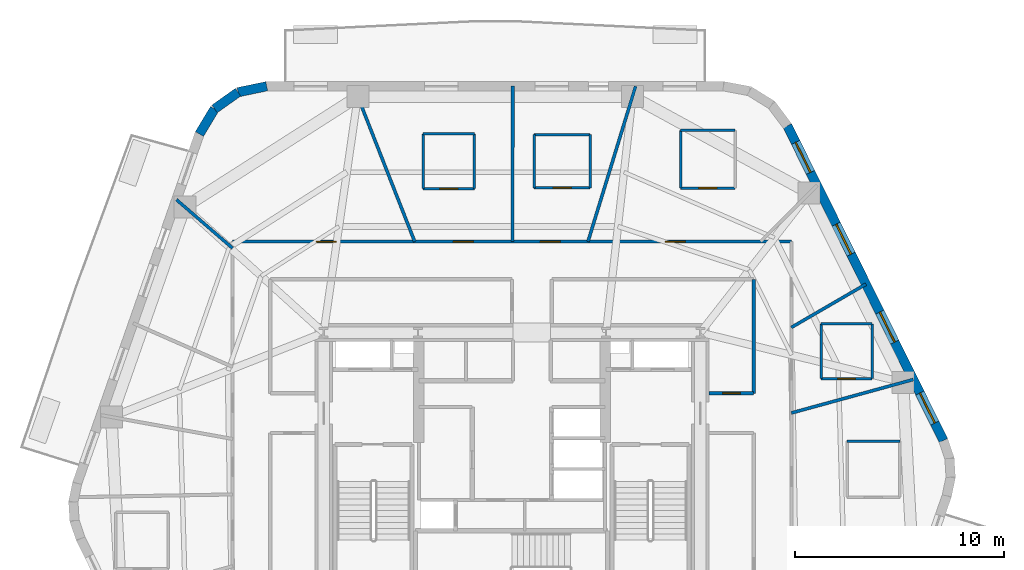
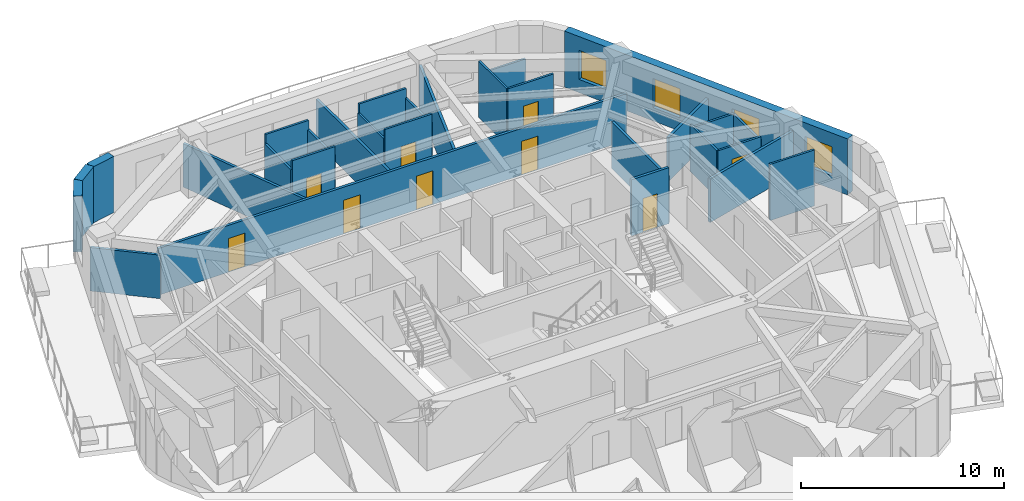
# One storey, part 6 of 11: 29 walls, 9 doors, 4 windows, 13 openings.
"""IFC4 building model written with IfcOpenShell, lengths in metres."""

from ifc_helpers import new_model, si_unit, direction, frame, frame_2d, origin, place, context, subcontext, project, spatial, rectangle, extrude, material, layer, layer_set, type_object, element, fill, save


model = new_model("IFC4")

# Units and contexts
model_context = context("Model", 3, precision=1e-05, world=origin(), true_north=direction((0.0, 1.0)))
body_context = subcontext(model_context, "Body", "Model", "MODEL_VIEW")
ifc_project = project(units=[si_unit("LENGTHUNIT", "METRE"), si_unit("AREAUNIT", "SQUARE_METRE"), si_unit("VOLUMEUNIT", "CUBIC_METRE"), si_unit("PLANEANGLEUNIT", "RADIAN"), si_unit("MASSUNIT", "GRAM", prefix="KILO")], contexts=[model_context])

# Site, building, storey
site_placement = place(None, origin())
site = spatial("IfcSite", under=ifc_project, at=site_placement, CompositionType="ELEMENT")
building_placement = place(site_placement, origin())
building = spatial("IfcBuilding", under=site, at=building_placement, Name="Kilnhurst Terrace Hotel", CompositionType="ELEMENT")
storey_placement = place(building_placement, frame((0.0, 0.0, 166.5)))
storey = spatial("IfcBuildingStorey", under=building, at=storey_placement, Name="L41", CompositionType="ELEMENT", Elevation=166.5)

# Walls
ifc_material_1 = material(Name="Precast concrete C40/50", Category="concrete")
ifc_layer_1 = layer(ifc_material_1, 0.449951171875, Name="Precast concrete C40/50")
ifc_layer_set_1 = layer_set([ifc_layer_1], Name="Precast concrete C40/50")
wall_type_1 = type_object("IfcWallType", Name="WL-BRK-450", PredefinedType="SOLIDWALL", material=ifc_layer_set_1)
wall_1_placement = place(storey_placement, frame((-11.720458984375, 19.27490234375, 0.0), z_axis=(0.0, 0.0, 1.0), x_axis=(-0.97893106758, -0.204191001093, 0.0)))
element("IfcWall", 1, at=wall_1_placement, inside=storey, type_object=wall_type_1, Name="L41 Rounded Corner Brick Wall C5.1", PredefinedType="SOLIDWALL", context=body_context, shape_type="SweptSolid", body=[
    extrude(rectangle(XDim=1.400146484375, YDim=0.449951171875, at=frame_2d((0.7001953125, 0.0))), origin(), (0.0, 0.0, 1.0), 3.3798828125),
])
wall_2_placement = place(storey_placement, frame((-13.091064453125, 18.989013671875, 0.0), z_axis=(0.0, 0.0, 1.0), x_axis=(-0.815574637848, -0.578651890258, 0.0)))
element("IfcWall", 2, at=wall_2_placement, inside=storey, type_object=wall_type_1, Name="L41 Rounded Corner Brick Wall C5.2", PredefinedType="SOLIDWALL", context=body_context, shape_type="SweptSolid", body=[
    extrude(rectangle(XDim=1.376708984375, YDim=0.449951171875, at=frame_2d((0.6884765625, 0.0))), origin(), (0.0, 0.0, 1.0), 3.3798828125),
])
wall_3_placement = place(storey_placement, frame((-14.2138671875, 18.1923828125, 0.0), z_axis=(0.0, 0.0, 1.0), x_axis=(-0.516340945502, -0.856383108193, 0.0)))
element("IfcWall", 3, at=wall_3_placement, inside=storey, type_object=wall_type_1, Name="L41 Rounded Corner Brick Wall C5.3", PredefinedType="SOLIDWALL", context=body_context, shape_type="SweptSolid", body=[
    extrude(rectangle(XDim=1.400146484375, YDim=0.449951171875, at=frame_2d((0.7001953125, 0.0))), origin(), (0.0, 0.0, 1.0), 3.3798828125),
])

# Wall, openings, windows
wall_4_placement = place(storey_placement, frame((20.618408203125, 2.343994140625, 0.0), z_axis=(0.0, 0.0, 1.0), x_axis=(-0.444243691097, 0.895905990002, 0.0)))
wall_4 = element("IfcWall", 4, at=wall_4_placement, inside=storey, type_object=wall_type_1, Name="L41 Exterior Brick Facade Wall F3", PredefinedType="SOLIDWALL", context=body_context, shape_type="SweptSolid", body=[
    extrude(rectangle(XDim=16.78369140625, YDim=0.449951171875, at=frame_2d((8.391845703125, 0.0))), origin(), (0.0, 0.0, 1.0), 3.3798828125),
])
opening_1_placement = place(wall_4_placement, frame((5.2451171875, 0.0, 0.800048828125)))
opening_1 = element("IfcOpeningElement", 5, at=opening_1_placement, cuts=wall_4, Name="Opening W-05", PredefinedType="OPENING", context=body_context, shape_type="SweptSolid", body=[
    extrude(rectangle(XDim=1.60009765625, YDim=1.75, at=frame_2d((0.800048828125, 0.875))), frame((0.0, 0.23486328125, 0.0), z_axis=(0.0, -1.0, 0.0), x_axis=(1.0, 0.0, 0.0)), (0.0, 0.0, 1.0), 0.469970703125),
])
opening_2_placement = place(wall_4_placement, frame((9.93603515625, 0.0, 0.800048828125)))
opening_2 = element("IfcOpeningElement", 6, at=opening_2_placement, cuts=wall_4, Name="Opening W-05", PredefinedType="OPENING", context=body_context, shape_type="SweptSolid", body=[
    extrude(rectangle(XDim=1.60009765625, YDim=1.75, at=frame_2d((0.800048828125, 0.875))), frame((0.0, 0.23486328125, 0.0), z_axis=(0.0, -1.0, 0.0), x_axis=(1.0, 0.0, 0.0)), (0.0, 0.0, 1.0), 0.469970703125),
])
opening_3_placement = place(wall_4_placement, frame((14.302978515625, 0.0, 0.800048828125)))
opening_3 = element("IfcOpeningElement", 7, at=opening_3_placement, cuts=wall_4, Name="Opening W-05", PredefinedType="OPENING", context=body_context, shape_type="SweptSolid", body=[
    extrude(rectangle(XDim=1.60009765625, YDim=1.75, at=frame_2d((0.800048828125, 0.875))), frame((0.0, 0.23486328125, 0.0), z_axis=(0.0, -1.0, 0.0), x_axis=(1.0, 0.0, 0.0)), (0.0, 0.0, 1.0), 0.469970703125),
])
opening_4_placement = place(wall_4_placement, frame((0.930908203125, 0.0, 0.800048828125)))
opening_4 = element("IfcOpeningElement", 8, at=opening_4_placement, cuts=wall_4, Name="Opening W-05", PredefinedType="OPENING", context=body_context, shape_type="SweptSolid", body=[
    extrude(rectangle(XDim=1.60009765625, YDim=1.75, at=frame_2d((0.800048828125, 0.875))), frame((0.0, 0.23486328125, 0.0), z_axis=(0.0, -1.0, 0.0), x_axis=(1.0, 0.0, 0.0)), (0.0, 0.0, 1.0), 0.469970703125),
])
ifc_material_2 = material(Name="Thermally Broken Bronze Aluminium Alloy 6063-T6 and Low-E Glass", Category="aluminium")
window_type = type_object("IfcWindowType", Name="WIN-1600X1750", PartitioningType="SINGLE_PANEL", PredefinedType="WINDOW", material=ifc_material_2)
window_1_placement = place(opening_1_placement, origin())
window_1 = element("IfcWindow", 9, at=window_1_placement, inside=storey, type_object=window_type, Name="L41 Deep-Set Masonry Window F3.1", OverallHeight=1.75, OverallWidth=1.60009765625, PartitioningType="SINGLE_PANEL", PredefinedType="WINDOW", context=body_context, shape_type="SweptSolid", body=[
    extrude(rectangle(XDim=1.60009765625, YDim=1.75, at=frame_2d((0.800048828125, 0.875))), frame((0.0, 0.030029296875, 0.0), z_axis=(0.0, -1.0, 0.0), x_axis=(1.0, 0.0, 0.0)), (0.0, 0.0, 1.0), 0.06005859375),
])
fill(opening_1, window_1)
window_2_placement = place(opening_2_placement, origin())
window_2 = element("IfcWindow", 10, at=window_2_placement, inside=storey, type_object=window_type, Name="L41 Deep-Set Masonry Window F3.2", OverallHeight=1.75, OverallWidth=1.60009765625, PartitioningType="SINGLE_PANEL", PredefinedType="WINDOW", context=body_context, shape_type="SweptSolid", body=[
    extrude(rectangle(XDim=1.60009765625, YDim=1.75, at=frame_2d((0.800048828125, 0.875))), frame((0.0, 0.030029296875, 0.0), z_axis=(0.0, -1.0, 0.0), x_axis=(1.0, 0.0, 0.0)), (0.0, 0.0, 1.0), 0.06005859375),
])
fill(opening_2, window_2)
window_3_placement = place(opening_3_placement, origin())
window_3 = element("IfcWindow", 11, at=window_3_placement, inside=storey, type_object=window_type, Name="L41 Deep-Set Masonry Window F3.3", OverallHeight=1.75, OverallWidth=1.60009765625, PartitioningType="SINGLE_PANEL", PredefinedType="WINDOW", context=body_context, shape_type="SweptSolid", body=[
    extrude(rectangle(XDim=1.60009765625, YDim=1.75, at=frame_2d((0.800048828125, 0.875))), frame((0.0, 0.030029296875, 0.0), z_axis=(0.0, -1.0, 0.0), x_axis=(1.0, 0.0, 0.0)), (0.0, 0.0, 1.0), 0.06005859375),
])
fill(opening_3, window_3)
window_4_placement = place(opening_4_placement, origin())
window_4 = element("IfcWindow", 12, at=window_4_placement, inside=storey, type_object=window_type, Name="L41 Deep-Set Masonry Window F3.4", OverallHeight=1.75, OverallWidth=1.60009765625, PartitioningType="SINGLE_PANEL", PredefinedType="WINDOW", context=body_context, shape_type="SweptSolid", body=[
    extrude(rectangle(XDim=1.60009765625, YDim=1.75, at=frame_2d((0.800048828125, 0.875))), frame((0.0, 0.030029296875, 0.0), z_axis=(0.0, -1.0, 0.0), x_axis=(1.0, 0.0, 0.0)), (0.0, 0.0, 1.0), 0.06005859375),
])
fill(opening_4, window_4)

# Wall, openings, doors
ifc_material_3 = material(Name="Acoustic Double-Gypsum Corridor Partition Assembly")
ifc_layer_2 = layer(ifc_material_3, 0.14990234375, Name="Acoustic Double-Gypsum Corridor Partition Assembly")
ifc_layer_set_2 = layer_set([ifc_layer_2], Name="Acoustic Double-Gypsum Corridor Partition Assembly")
wall_type_2 = type_object("IfcWallType", Name="WL-COR-150", PredefinedType="PARTITIONING", material=ifc_layer_set_2)
wall_5_placement = place(storey_placement, frame((-13.35009765625, 11.85009765625, 0.0), z_axis=(0.0, 0.0, 1.0), x_axis=(1.0, 0.0, 0.0)))
wall_5 = element("IfcWall", 13, at=wall_5_placement, inside=storey, type_object=wall_type_2, Name="L41 Interior Wall WL-L41-COR-03", PredefinedType="PARTITIONING", context=body_context, shape_type="SweptSolid", body=[
    extrude(rectangle(XDim=26.7001953125, YDim=0.14990234375, at=frame_2d((13.35009765625, 0.0))), origin(), (0.0, 0.0, 1.0), 2.820068359375),
])
opening_5_placement = place(wall_5_placement, frame((20.681884765625, 0.0, 0.0)))
opening_5 = element("IfcOpeningElement", 14, at=opening_5_placement, cuts=wall_5, Name="Opening D-60B", PredefinedType="OPENING", context=body_context, shape_type="SweptSolid", body=[
    extrude(rectangle(XDim=0.949951171875, YDim=2.030029296875, at=frame_2d((0.47509765625, 1.01513671875))), frame((0.0, 0.0849609375, 0.0), z_axis=(0.0, -1.0, 0.0), x_axis=(1.0, 0.0, 0.0)), (0.0, 0.0, 1.0), 0.169921875),
])
opening_6_placement = place(wall_5_placement, frame((14.7080078125, 0.0, 0.0)))
opening_6 = element("IfcOpeningElement", 15, at=opening_6_placement, cuts=wall_5, Name="Opening D-60B", PredefinedType="OPENING", context=body_context, shape_type="SweptSolid", body=[
    extrude(rectangle(XDim=0.949951171875, YDim=2.030029296875, at=frame_2d((0.47509765625, 1.01513671875))), frame((0.0, 0.0849609375, 0.0), z_axis=(0.0, -1.0, 0.0), x_axis=(1.0, 0.0, 0.0)), (0.0, 0.0, 1.0), 0.169921875),
])
opening_7_placement = place(wall_5_placement, frame((10.552978515625, 0.0, 0.0)))
opening_7 = element("IfcOpeningElement", 16, at=opening_7_placement, cuts=wall_5, Name="Opening D-60B", PredefinedType="OPENING", context=body_context, shape_type="SweptSolid", body=[
    extrude(rectangle(XDim=0.949951171875, YDim=2.030029296875, at=frame_2d((0.47509765625, 1.01513671875))), frame((0.0, 0.0849609375, 0.0), z_axis=(0.0, -1.0, 0.0), x_axis=(1.0, 0.0, 0.0)), (0.0, 0.0, 1.0), 0.169921875),
])
opening_8_placement = place(wall_5_placement, frame((3.9951171875, 0.0, 0.0)))
opening_8 = element("IfcOpeningElement", 17, at=opening_8_placement, cuts=wall_5, Name="Opening D-60B", PredefinedType="OPENING", context=body_context, shape_type="SweptSolid", body=[
    extrude(rectangle(XDim=0.949951171875, YDim=2.030029296875, at=frame_2d((0.47509765625, 1.01513671875))), frame((0.0, 0.0849609375, 0.0), z_axis=(0.0, -1.0, 0.0), x_axis=(1.0, 0.0, 0.0)), (0.0, 0.0, 1.0), 0.169921875),
])
ifc_material_4 = material(Name="Acoustic Walnut Veneer Solid-Core Fire Door")
door_type_1 = type_object("IfcDoorType", Name="DR-FD60-950", OperationType="NOTDEFINED", PredefinedType="DOOR", material=ifc_material_4)
door_1_placement = place(opening_5_placement, origin())
door_1 = element("IfcDoor", 18, at=door_1_placement, inside=storey, type_object=door_type_1, Name="L41 Executive Suite Entry Door 3", OperationType="SINGLE_SWING_LEFT", OverallHeight=2.030029296875, OverallWidth=0.949951171875, PredefinedType="DOOR", context=body_context, shape_type="SweptSolid", body=[
    extrude(rectangle(XDim=0.949951171875, YDim=2.030029296875, at=frame_2d((0.47509765625, 1.01513671875))), frame((0.0, 0.02490234375, 0.0), z_axis=(0.0, -1.0, 0.0), x_axis=(1.0, 0.0, 0.0)), (0.0, 0.0, 1.0), 0.050048828125),
])
fill(opening_5, door_1)
door_2_placement = place(opening_6_placement, origin())
door_2 = element("IfcDoor", 19, at=door_2_placement, inside=storey, type_object=door_type_1, Name="L41 Guest Room Entry Door 4", OperationType="SINGLE_SWING_RIGHT", OverallHeight=2.030029296875, OverallWidth=0.949951171875, PredefinedType="DOOR", context=body_context, shape_type="SweptSolid", body=[
    extrude(rectangle(XDim=0.949951171875, YDim=2.030029296875, at=frame_2d((0.47509765625, 1.01513671875))), frame((0.0, 0.02490234375, 0.0), z_axis=(0.0, -1.0, 0.0), x_axis=(1.0, 0.0, 0.0)), (0.0, 0.0, 1.0), 0.050048828125),
])
fill(opening_6, door_2)
door_3_placement = place(opening_7_placement, origin())
door_3 = element("IfcDoor", 20, at=door_3_placement, inside=storey, type_object=door_type_1, Name="L41 Guest Room Entry Door 5", OperationType="SINGLE_SWING_LEFT", OverallHeight=2.030029296875, OverallWidth=0.949951171875, PredefinedType="DOOR", context=body_context, shape_type="SweptSolid", body=[
    extrude(rectangle(XDim=0.949951171875, YDim=2.030029296875, at=frame_2d((0.47509765625, 1.01513671875))), frame((0.0, 0.02490234375, 0.0), z_axis=(0.0, -1.0, 0.0), x_axis=(1.0, 0.0, 0.0)), (0.0, 0.0, 1.0), 0.050048828125),
])
fill(opening_7, door_3)
door_4_placement = place(opening_8_placement, origin())
door_4 = element("IfcDoor", 21, at=door_4_placement, inside=storey, type_object=door_type_1, Name="L41 Private Dining Room Door", OperationType="SINGLE_SWING_RIGHT", OverallHeight=2.030029296875, OverallWidth=0.949951171875, PredefinedType="DOOR", context=body_context, shape_type="SweptSolid", body=[
    extrude(rectangle(XDim=0.949951171875, YDim=2.030029296875, at=frame_2d((0.47509765625, 1.01513671875))), frame((0.0, 0.02490234375, 0.0), z_axis=(0.0, -1.0, 0.0), x_axis=(1.0, 0.0, 0.0)), (0.0, 0.0, 1.0), 0.050048828125),
])
fill(opening_8, door_4)

# Wall, opening, door
wall_6_placement = place(storey_placement, frame((9.425048828125, 4.60009765625, 0.0), z_axis=(0.0, 0.0, 1.0), x_axis=(1.0, 0.0, 0.0)))
wall_6 = element("IfcWall", 22, at=wall_6_placement, inside=storey, type_object=wall_type_2, Name="L41 Interior Wall WL-L41-COR-07", PredefinedType="PARTITIONING", context=body_context, shape_type="SweptSolid", body=[
    extrude(rectangle(XDim=2.125, YDim=0.14990234375, at=frame_2d((1.0625, 0.0))), origin(), (0.0, 0.0, 1.0), 3.3798828125),
])
opening_9_placement = place(wall_6_placement, frame((0.636962890625, 0.0, 0.0)))
opening_9 = element("IfcOpeningElement", 23, at=opening_9_placement, cuts=wall_6, Name="Opening D-60D", PredefinedType="OPENING", context=body_context, shape_type="SweptSolid", body=[
    extrude(rectangle(XDim=0.85009765625, YDim=2.030029296875, at=frame_2d((0.425048828125, 1.01513671875))), frame((0.0, 0.0849609375, 0.0), z_axis=(0.0, -1.0, 0.0), x_axis=(1.0, 0.0, 0.0)), (0.0, 0.0, 1.0), 0.169921875),
])
ifc_material_5 = material(Name="Painted Hollow Metal Steel ASTM A36 Riser Door", Category="steel")
door_type_2 = type_object("IfcDoorType", Name="DR-FD60-850", OperationType="NOTDEFINED", PredefinedType="DOOR", material=ifc_material_5)
door_5_placement = place(opening_9_placement, origin())
door_5 = element("IfcDoor", 24, at=door_5_placement, inside=storey, type_object=door_type_2, Name="L41 Floor Beverage Service Room Door", OperationType="SINGLE_SWING_LEFT", OverallHeight=2.030029296875, OverallWidth=0.85009765625, PredefinedType="DOOR", context=body_context, shape_type="SweptSolid", body=[
    extrude(rectangle(XDim=0.85009765625, YDim=2.030029296875, at=frame_2d((0.425048828125, 1.01513671875))), frame((0.0, 0.02490234375, 0.0), z_axis=(0.0, -1.0, 0.0), x_axis=(1.0, 0.0, 0.0)), (0.0, 0.0, 1.0), 0.050048828125),
])
fill(opening_9, door_5)

# Walls
wall_7_placement = place(storey_placement, frame((11.550048828125, 4.60009765625, 0.0), z_axis=(0.0, 0.0, 1.0), x_axis=(0.0, 1.0, 0.0)))
element("IfcWall", 25, at=wall_7_placement, inside=storey, type_object=wall_type_2, Name="L41 Interior Wall WL-L41-COR-08", PredefinedType="PARTITIONING", context=body_context, shape_type="SweptSolid", body=[
    extrude(rectangle(XDim=5.449951171875, YDim=0.14990234375, at=frame_2d((2.72509765625, 0.0))), origin(), (0.0, 0.0, 1.0), 2.820068359375),
])
ifc_material_6 = material(Name="STC-58 Acoustic Twin-Frame Guestroom Demising Partition")
ifc_layer_3 = layer(ifc_material_6, 0.14990234375, Name="STC-58 Acoustic Twin-Frame Guestroom Demising Partition")
ifc_layer_set_3 = layer_set([ifc_layer_3], Name="STC-58 Acoustic Twin-Frame Guestroom Demising Partition")
wall_type_3 = type_object("IfcWallType", Name="WL-DEM-150", PredefinedType="PARTITIONING", material=ifc_layer_set_3)
wall_8_placement = place(storey_placement, frame((13.35009765625, 3.66064453125, 0.0), z_axis=(0.0, 0.0, 1.0), x_axis=(0.964397145454, 0.264458211898, 0.0)))
element("IfcWall", 26, at=wall_8_placement, inside=storey, type_object=wall_type_3, Name="L41 Interior Wall WL-L41-DEM-COL01-01-1", PredefinedType="PARTITIONING", context=body_context, shape_type="SweptSolid", body=[
    extrude(rectangle(XDim=6.03857421875, YDim=0.14990234375, at=frame_2d((3.019287109375, 0.0))), origin(), (0.0, 0.0, 1.0), 2.6201171875),
])
wall_9_placement = place(storey_placement, frame((13.35009765625, 7.74755859375, 0.0), z_axis=(0.0, 0.0, 1.0), x_axis=(0.864894342526, 0.501953958313, 0.0)))
element("IfcWall", 27, at=wall_9_placement, inside=storey, type_object=wall_type_3, Name="L41 Interior Wall WL-L41-DEM-MID01-02-1", PredefinedType="PARTITIONING", context=body_context, shape_type="SweptSolid", body=[
    extrude(rectangle(XDim=4.1201171875, YDim=0.14990234375, at=frame_2d((2.06005859375, 0.0))), origin(), (0.0, 0.0, 1.0), 2.6201171875),
])
wall_10_placement = place(storey_placement, frame((3.63134765625, 11.85009765625, 0.0), z_axis=(0.0, 0.0, 1.0), x_axis=(0.293007573338, 0.956110120209, 0.0)))
element("IfcWall", 28, at=wall_10_placement, inside=storey, type_object=wall_type_3, Name="L41 Interior Wall WL-L41-DEM-COL03-04-1", PredefinedType="PARTITIONING", context=body_context, shape_type="SweptSolid", body=[
    extrude(rectangle(XDim=7.765625, YDim=0.14990234375, at=frame_2d((3.8828125, 0.0))), origin(), (0.0, 0.0, 1.0), 2.6201171875),
])
wall_11_placement = place(storey_placement, frame((0.023681640625, 11.85009765625, 0.0), z_axis=(0.0, 0.0, 1.0), x_axis=(0.001972901592, 0.999998053828, 0.0)))
element("IfcWall", 29, at=wall_11_placement, inside=storey, type_object=wall_type_3, Name="L41 Interior Wall WL-L41-DEM-MID03-05-1", PredefinedType="PARTITIONING", context=body_context, shape_type="SweptSolid", body=[
    extrude(rectangle(XDim=7.4248046875, YDim=0.14990234375, at=frame_2d((3.71240234375, 0.0))), origin(), (0.0, 0.0, 1.0), 2.6201171875),
])
wall_12_placement = place(storey_placement, frame((-4.64990234375, 11.85009765625, 0.0), z_axis=(0.0, 0.0, 1.0), x_axis=(-0.365265947993, 0.930903210456, 0.0)))
element("IfcWall", 30, at=wall_12_placement, inside=storey, type_object=wall_type_3, Name="L41 Interior Wall WL-L41-DEM-COL04-06-1", PredefinedType="PARTITIONING", context=body_context, shape_type="SweptSolid", body=[
    extrude(rectangle(XDim=7.975830078125, YDim=0.14990234375, at=frame_2d((3.98779296875, 0.0))), origin(), (0.0, 0.0, 1.0), 2.6201171875),
])
wall_13_placement = place(storey_placement, frame((-13.35009765625, 11.53271484375, 0.0), z_axis=(0.0, 0.0, 1.0), x_axis=(-0.756711647314, 0.65374879183, 0.0)))
element("IfcWall", 31, at=wall_13_placement, inside=storey, type_object=wall_type_3, Name="L41 Interior Wall WL-L41-DEM-COL05-07-1", PredefinedType="PARTITIONING", context=body_context, shape_type="SweptSolid", body=[
    extrude(rectangle(XDim=3.549560546875, YDim=0.14990234375, at=frame_2d((1.77490234375, 0.0))), origin(), (0.0, 0.0, 1.0), 2.6201171875),
])

# Wall, opening, door
ifc_material_7 = material(Name="120 mm Moisture-Resistant Tile-Backed Bathroom Partition")
ifc_layer_4 = layer(ifc_material_7, 0.1201171875, Name="120 mm Moisture-Resistant Tile-Backed Bathroom Partition")
ifc_layer_set_4 = layer_set([ifc_layer_4], Name="120 mm Moisture-Resistant Tile-Backed Bathroom Partition")
wall_type_4 = type_object("IfcWallType", Name="WL-PART-120", PredefinedType="PARTITIONING", material=ifc_layer_set_4)
wall_14_placement = place(storey_placement, frame((14.77001953125, 5.305908203125, 0.0), z_axis=(0.0, 0.0, 1.0), x_axis=(1.0, 0.0, 0.0)))
wall_14 = element("IfcWall", 32, at=wall_14_placement, inside=storey, type_object=wall_type_4, Name="L41 Interior Wall WL-L41-BTH-01-1", PredefinedType="PARTITIONING", context=body_context, shape_type="SweptSolid", body=[
    extrude(rectangle(XDim=2.43994140625, YDim=0.1201171875, at=frame_2d((1.219970703125, 0.0))), origin(), (0.0, 0.0, 1.0), 2.820068359375),
])
opening_10_placement = place(wall_14_placement, frame((0.794921875, 0.0, 0.0)))
opening_10 = element("IfcOpeningElement", 33, at=opening_10_placement, cuts=wall_14, Name="Opening D-08A", PredefinedType="OPENING", context=body_context, shape_type="SweptSolid", body=[
    extrude(rectangle(XDim=0.85009765625, YDim=2.030029296875, at=frame_2d((0.425048828125, 1.01513671875))), frame((0.0, 0.070068359375, 0.0), z_axis=(0.0, -1.0, 0.0), x_axis=(1.0, 0.0, 0.0)), (0.0, 0.0, 1.0), 0.14013671875),
])
ifc_material_8 = material(Name="Moisture-Resistant Lacquered En-suite Bathroom Door")
door_type_3 = type_object("IfcDoorType", Name="DR-INT-850", OperationType="NOTDEFINED", PredefinedType="DOOR", material=ifc_material_8)
door_6_placement = place(opening_10_placement, origin())
door_6 = element("IfcDoor", 34, at=door_6_placement, inside=storey, type_object=door_type_3, Name="L41 En-suite Bathroom Door 1", OperationType="SINGLE_SWING_RIGHT", OverallHeight=2.030029296875, OverallWidth=0.85009765625, PredefinedType="DOOR", context=body_context, shape_type="SweptSolid", body=[
    extrude(rectangle(XDim=0.85009765625, YDim=2.030029296875, at=frame_2d((0.425048828125, 1.01513671875))), frame((0.0, 0.02490234375, 0.0), z_axis=(0.0, -1.0, 0.0), x_axis=(1.0, 0.0, 0.0)), (0.0, 0.0, 1.0), 0.050048828125),
])
fill(opening_10, door_6)

# Walls
wall_15_placement = place(storey_placement, frame((17.2099609375, 5.305908203125, 0.0), z_axis=(0.0, 0.0, 1.0), x_axis=(0.0, 1.0, 0.0)))
element("IfcWall", 35, at=wall_15_placement, inside=storey, type_object=wall_type_4, Name="L41 Interior Wall WL-L41-BTH-01-2", PredefinedType="PARTITIONING", context=body_context, shape_type="SweptSolid", body=[
    extrude(rectangle(XDim=2.610107421875, YDim=0.1201171875, at=frame_2d((1.30517578125, 0.0))), origin(), (0.0, 0.0, 1.0), 2.6201171875),
])
wall_16_placement = place(storey_placement, frame((17.2099609375, 7.916015625, 0.0), z_axis=(0.0, 0.0, 1.0), x_axis=(-1.0, 0.0, 0.0)))
element("IfcWall", 36, at=wall_16_placement, inside=storey, type_object=wall_type_4, Name="L41 Interior Wall WL-L41-BTH-01-3", PredefinedType="PARTITIONING", context=body_context, shape_type="SweptSolid", body=[
    extrude(rectangle(XDim=2.43994140625, YDim=0.1201171875, at=frame_2d((1.219970703125, 0.0))), origin(), (0.0, 0.0, 1.0), 2.6201171875),
])
wall_17_placement = place(storey_placement, frame((14.77001953125, 7.916015625, 0.0), z_axis=(0.0, 0.0, 1.0), x_axis=(0.0, -1.0, 0.0)))
element("IfcWall", 37, at=wall_17_placement, inside=storey, type_object=wall_type_4, Name="L41 Interior Wall WL-L41-BTH-01-4", PredefinedType="PARTITIONING", context=body_context, shape_type="SweptSolid", body=[
    extrude(rectangle(XDim=2.610107421875, YDim=0.1201171875, at=frame_2d((1.30517578125, 0.0))), origin(), (0.0, 0.0, 1.0), 2.820068359375),
])

# Wall, opening, door
wall_18_placement = place(storey_placement, frame((8.05810546875, 14.410888671875, 0.0), z_axis=(0.0, 0.0, 1.0), x_axis=(1.0, 0.0, 0.0)))
wall_18 = element("IfcWall", 38, at=wall_18_placement, inside=storey, type_object=wall_type_4, Name="L41 Interior Wall WL-L41-BTH-03-1", PredefinedType="PARTITIONING", context=body_context, shape_type="SweptSolid", body=[
    extrude(rectangle(XDim=2.599853515625, YDim=0.1201171875, at=frame_2d((1.2998046875, 0.0))), origin(), (0.0, 0.0, 1.0), 3.3798828125),
])
opening_11_placement = place(wall_18_placement, frame((0.875, 0.0, 0.0)))
opening_11 = element("IfcOpeningElement", 39, at=opening_11_placement, cuts=wall_18, Name="Opening D-08A", PredefinedType="OPENING", context=body_context, shape_type="SweptSolid", body=[
    extrude(rectangle(XDim=0.85009765625, YDim=2.030029296875, at=frame_2d((0.425048828125, 1.01513671875))), frame((0.0, 0.070068359375, 0.0), z_axis=(0.0, -1.0, 0.0), x_axis=(1.0, 0.0, 0.0)), (0.0, 0.0, 1.0), 0.14013671875),
])
door_7_placement = place(opening_11_placement, origin())
door_7 = element("IfcDoor", 40, at=door_7_placement, inside=storey, type_object=door_type_3, Name="L41 En-suite Bathroom Door 3", OperationType="SINGLE_SWING_RIGHT", OverallHeight=2.030029296875, OverallWidth=0.85009765625, PredefinedType="DOOR", context=body_context, shape_type="SweptSolid", body=[
    extrude(rectangle(XDim=0.85009765625, YDim=2.030029296875, at=frame_2d((0.425048828125, 1.01513671875))), frame((0.0, 0.02490234375, 0.0), z_axis=(0.0, -1.0, 0.0), x_axis=(1.0, 0.0, 0.0)), (0.0, 0.0, 1.0), 0.050048828125),
])
fill(opening_11, door_7)

# Walls
wall_19_placement = place(storey_placement, frame((10.657958984375, 17.160888671875, 0.0), z_axis=(0.0, 0.0, 1.0), x_axis=(-1.0, 0.0, 0.0)))
element("IfcWall", 41, at=wall_19_placement, inside=storey, type_object=wall_type_4, Name="L41 Interior Wall WL-L41-BTH-03-3", PredefinedType="PARTITIONING", context=body_context, shape_type="SweptSolid", body=[
    extrude(rectangle(XDim=2.599853515625, YDim=0.1201171875, at=frame_2d((1.2998046875, 0.0))), origin(), (0.0, 0.0, 1.0), 2.6201171875),
])
wall_20_placement = place(storey_placement, frame((8.05810546875, 17.160888671875, 0.0), z_axis=(0.0, 0.0, 1.0), x_axis=(0.0, -1.0, 0.0)))
element("IfcWall", 42, at=wall_20_placement, inside=storey, type_object=wall_type_4, Name="L41 Interior Wall WL-L41-BTH-03-4", PredefinedType="PARTITIONING", context=body_context, shape_type="SweptSolid", body=[
    extrude(rectangle(XDim=2.75, YDim=0.1201171875, at=frame_2d((1.375, 0.0))), origin(), (0.0, 0.0, 1.0), 3.3798828125),
])

# Wall, opening, door
wall_21_placement = place(storey_placement, frame((1.054931640625, 14.41796875, 0.0), z_axis=(0.0, 0.0, 1.0), x_axis=(1.0, 0.0, 0.0)))
wall_21 = element("IfcWall", 43, at=wall_21_placement, inside=storey, type_object=wall_type_4, Name="L41 Interior Wall WL-L41-BTH-04-1", PredefinedType="PARTITIONING", context=body_context, shape_type="SweptSolid", body=[
    extrude(rectangle(XDim=2.68017578125, YDim=0.1201171875, at=frame_2d((1.340087890625, 0.0))), origin(), (0.0, 0.0, 1.0), 3.3798828125),
])
opening_12_placement = place(wall_21_placement, frame((0.9150390625, 0.0, 0.0)))
opening_12 = element("IfcOpeningElement", 44, at=opening_12_placement, cuts=wall_21, Name="Opening D-08A", PredefinedType="OPENING", context=body_context, shape_type="SweptSolid", body=[
    extrude(rectangle(XDim=0.85009765625, YDim=2.030029296875, at=frame_2d((0.425048828125, 1.01513671875))), frame((0.0, 0.070068359375, 0.0), z_axis=(0.0, -1.0, 0.0), x_axis=(1.0, 0.0, 0.0)), (0.0, 0.0, 1.0), 0.14013671875),
])
door_8_placement = place(opening_12_placement, origin())
door_8 = element("IfcDoor", 45, at=door_8_placement, inside=storey, type_object=door_type_3, Name="L41 En-suite Bathroom Door 4", OperationType="SINGLE_SWING_LEFT", OverallHeight=2.030029296875, OverallWidth=0.85009765625, PredefinedType="DOOR", context=body_context, shape_type="SweptSolid", body=[
    extrude(rectangle(XDim=0.85009765625, YDim=2.030029296875, at=frame_2d((0.425048828125, 1.01513671875))), frame((0.0, 0.02490234375, 0.0), z_axis=(0.0, -1.0, 0.0), x_axis=(1.0, 0.0, 0.0)), (0.0, 0.0, 1.0), 0.050048828125),
])
fill(opening_12, door_8)

# Walls
wall_22_placement = place(storey_placement, frame((3.735107421875, 14.41796875, 0.0), z_axis=(0.0, 0.0, 1.0), x_axis=(0.0, 1.0, 0.0)))
element("IfcWall", 46, at=wall_22_placement, inside=storey, type_object=wall_type_4, Name="L41 Interior Wall WL-L41-BTH-04-2", PredefinedType="PARTITIONING", context=body_context, shape_type="SweptSolid", body=[
    extrude(rectangle(XDim=2.5400390625, YDim=0.1201171875, at=frame_2d((1.27001953125, 0.0))), origin(), (0.0, 0.0, 1.0), 2.8203125),
])
wall_23_placement = place(storey_placement, frame((3.735107421875, 16.9580078125, 0.0), z_axis=(0.0, 0.0, 1.0), x_axis=(-1.0, 0.0, 0.0)))
element("IfcWall", 47, at=wall_23_placement, inside=storey, type_object=wall_type_4, Name="L41 Interior Wall WL-L41-BTH-04-3", PredefinedType="PARTITIONING", context=body_context, shape_type="SweptSolid", body=[
    extrude(rectangle(XDim=2.68017578125, YDim=0.1201171875, at=frame_2d((1.340087890625, 0.0))), origin(), (0.0, 0.0, 1.0), 3.3798828125),
])
wall_24_placement = place(storey_placement, frame((1.054931640625, 16.9580078125, 0.0), z_axis=(0.0, 0.0, 1.0), x_axis=(0.0, -1.0, 0.0)))
element("IfcWall", 48, at=wall_24_placement, inside=storey, type_object=wall_type_4, Name="L41 Interior Wall WL-L41-BTH-04-4", PredefinedType="PARTITIONING", context=body_context, shape_type="SweptSolid", body=[
    extrude(rectangle(XDim=2.5400390625, YDim=0.1201171875, at=frame_2d((1.27001953125, 0.0))), origin(), (0.0, 0.0, 1.0), 2.8203125),
])

# Wall, opening, door
wall_25_placement = place(storey_placement, frame((-4.242919921875, 14.383056640625, 0.0), z_axis=(0.0, 0.0, 1.0), x_axis=(1.0, 0.0, 0.0)))
wall_25 = element("IfcWall", 49, at=wall_25_placement, inside=storey, type_object=wall_type_4, Name="L41 Interior Wall WL-L41-BTH-05-1", PredefinedType="PARTITIONING", context=body_context, shape_type="SweptSolid", body=[
    extrude(rectangle(XDim=2.43994140625, YDim=0.1201171875, at=frame_2d((1.219970703125, 0.0))), origin(), (0.0, 0.0, 1.0), 3.3798828125),
])
opening_13_placement = place(wall_25_placement, frame((0.794921875, 0.0, 0.0)))
opening_13 = element("IfcOpeningElement", 50, at=opening_13_placement, cuts=wall_25, Name="Opening D-08A", PredefinedType="OPENING", context=body_context, shape_type="SweptSolid", body=[
    extrude(rectangle(XDim=0.85009765625, YDim=2.030029296875, at=frame_2d((0.425048828125, 1.01513671875))), frame((0.0, 0.070068359375, 0.0), z_axis=(0.0, -1.0, 0.0), x_axis=(1.0, 0.0, 0.0)), (0.0, 0.0, 1.0), 0.14013671875),
])
door_9_placement = place(opening_13_placement, origin())
door_9 = element("IfcDoor", 51, at=door_9_placement, inside=storey, type_object=door_type_3, Name="L41 En-suite Bathroom Door 5", OperationType="SINGLE_SWING_RIGHT", OverallHeight=2.030029296875, OverallWidth=0.85009765625, PredefinedType="DOOR", context=body_context, shape_type="SweptSolid", body=[
    extrude(rectangle(XDim=0.85009765625, YDim=2.030029296875, at=frame_2d((0.425048828125, 1.01513671875))), frame((0.0, 0.02490234375, 0.0), z_axis=(0.0, -1.0, 0.0), x_axis=(1.0, 0.0, 0.0)), (0.0, 0.0, 1.0), 0.050048828125),
])
fill(opening_13, door_9)

# Walls
wall_26_placement = place(storey_placement, frame((-1.802978515625, 14.383056640625, 0.0), z_axis=(0.0, 0.0, 1.0), x_axis=(0.0, 1.0, 0.0)))
element("IfcWall", 52, at=wall_26_placement, inside=storey, type_object=wall_type_4, Name="L41 Interior Wall WL-L41-BTH-05-2", PredefinedType="PARTITIONING", context=body_context, shape_type="SweptSolid", body=[
    extrude(rectangle(XDim=2.60986328125, YDim=0.1201171875, at=frame_2d((1.304931640625, 0.0))), origin(), (0.0, 0.0, 1.0), 2.8203125),
])
wall_27_placement = place(storey_placement, frame((-1.802978515625, 16.992919921875, 0.0), z_axis=(0.0, 0.0, 1.0), x_axis=(-1.0, 0.0, 0.0)))
element("IfcWall", 53, at=wall_27_placement, inside=storey, type_object=wall_type_4, Name="L41 Interior Wall WL-L41-BTH-05-3", PredefinedType="PARTITIONING", context=body_context, shape_type="SweptSolid", body=[
    extrude(rectangle(XDim=2.43994140625, YDim=0.1201171875, at=frame_2d((1.219970703125, 0.0))), origin(), (0.0, 0.0, 1.0), 3.3798828125),
])
wall_28_placement = place(storey_placement, frame((-4.242919921875, 16.992919921875, 0.0), z_axis=(0.0, 0.0, 1.0), x_axis=(0.0, -1.0, 0.0)))
element("IfcWall", 54, at=wall_28_placement, inside=storey, type_object=wall_type_4, Name="L41 Interior Wall WL-L41-BTH-05-4", PredefinedType="PARTITIONING", context=body_context, shape_type="SweptSolid", body=[
    extrude(rectangle(XDim=2.60986328125, YDim=0.1201171875, at=frame_2d((1.304931640625, 0.0))), origin(), (0.0, 0.0, 1.0), 2.8203125),
])
wall_29_placement = place(storey_placement, frame((18.530029296875, 2.31298828125, 0.0), z_axis=(0.0, 0.0, 1.0), x_axis=(-1.0, 0.0, 0.0)))
element("IfcWall", 55, at=wall_29_placement, inside=storey, type_object=wall_type_4, Name="L41 Interior Wall WL-L41-BTH-18-3", PredefinedType="PARTITIONING", context=body_context, shape_type="SweptSolid", body=[
    extrude(rectangle(XDim=2.52001953125, YDim=0.1201171875, at=frame_2d((1.260009765625, 0.0))), origin(), (0.0, 0.0, 1.0), 3.3798828125),
])

save(model, "model.ifc")
